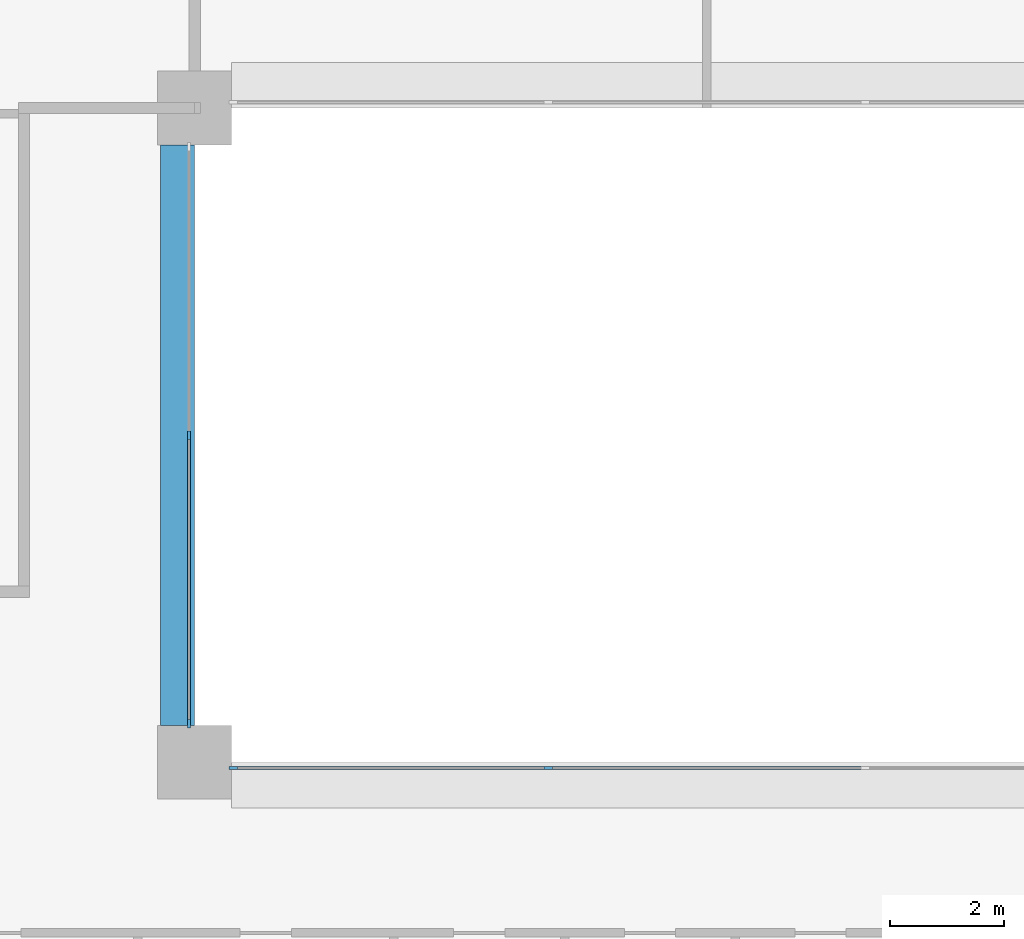
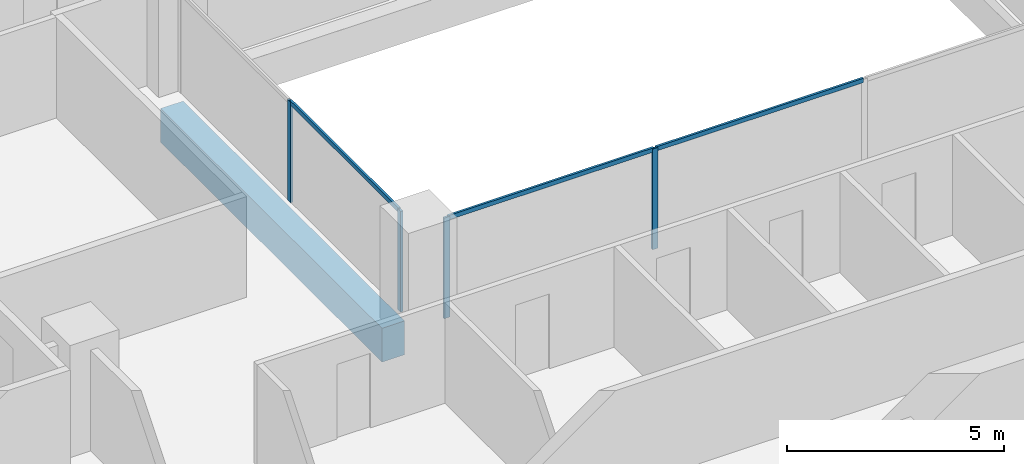
# One storey, part 2 of 16: 7 members, 1 beam, 2 elements without a shape of their own.
"""IFC4 building model written with IfcOpenShell, lengths in metres."""

import ifcopenshell
import ifcopenshell.guid

model = None  # the IFC model being written
_history = None  # IfcOwnerHistory: only IFC2X3 demands one
_inside = {}  # id of a spatial element -> (the spatial element, [elements in it])
_under = {}  # id of a project, library or spatial element -> (it, [spatial elements below it])
_declared = {}  # id of a project -> (the project, [libraries it declares])
_typed = {}  # id of a type object -> (the type object, [elements of that type])
_made_of = {}  # id of a material, layer set ... -> (it, [elements and type objects made of it])


def new_model(schema):
    """Start an empty IFC model of exactly this schema.

    Asked for "IFC4X3", IfcOpenShell would pick the latest addendum, in which some entities
    have other attributes; the version numbers below select the first issue.
    IFC2X3 requires an IfcOwnerHistory on every rooted entity: one is made here for all.
    """
    global model, _history
    if schema == "IFC4X3":
        model = ifcopenshell.file(schema_version=(4, 3, 0, 0))
    else:
        model = ifcopenshell.file(schema=schema)
    _inside.clear()
    _under.clear()
    _declared.clear()
    _typed.clear()
    _made_of.clear()
    _history = None
    if model.schema == "IFC2X3":
        org = make("IfcOrganization", Name="unknown")
        user = make(
            "IfcPersonAndOrganization",
            ThePerson=make("IfcPerson", FamilyName="unknown"),
            TheOrganization=org,
        )
        app = make(
            "IfcApplication",
            ApplicationDeveloper=org,
            Version="unknown",
            ApplicationFullName="unknown",
            ApplicationIdentifier="unknown",
        )
        _history = make(
            "IfcOwnerHistory",
            OwningUser=user,
            OwningApplication=app,
            ChangeAction="ADDED",
            CreationDate=0,
        )
    return model


def make(cls, **values):
    """One entity of the class cls with the attributes given. An attribute that is None is left unset."""
    return model.create_entity(
        cls, **{name: value for name, value in values.items() if value is not None}
    )


def rooted(cls, **values):
    """An entity with a GlobalId (a new one), such as an element, a storey or a relation."""
    return make(cls, GlobalId=ifcopenshell.guid.new(), OwnerHistory=_history, **values)


def si_unit(unit_type, name, prefix=None):
    """IfcSIUnit, for example si_unit("LENGTHUNIT", "METRE", prefix="MILLI")."""
    return make("IfcSIUnit", UnitType=unit_type, Prefix=prefix, Name=name)


def assignment(units):
    """IfcUnitAssignment: the units of a project."""
    return None if units is None else make("IfcUnitAssignment", Units=units)


def point(xyz):
    """IfcCartesianPoint."""
    return None if xyz is None else make("IfcCartesianPoint", Coordinates=xyz)


def direction(xyz):
    """IfcDirection."""
    return None if xyz is None else make("IfcDirection", DirectionRatios=xyz)


def frame(location, z_axis=None, x_axis=None):
    """IfcAxis2Placement3D, a coordinate frame: its origin and axes. An axis left out is left unset."""
    return make(
        "IfcAxis2Placement3D",
        Location=point(location),
        Axis=direction(z_axis),
        RefDirection=direction(x_axis),
    )


def frame_2d(location, x_axis=None):
    """IfcAxis2Placement2D, a coordinate frame in the plane: its origin and x axis."""
    return make(
        "IfcAxis2Placement2D", Location=point(location), RefDirection=direction(x_axis)
    )


def origin():
    """The frame at (0, 0, 0) with its axes left unset."""
    return frame((0.0, 0.0, 0.0))


def origin_2d():
    """The frame at (0, 0) in the plane with its x axis left unset."""
    return frame_2d((0.0, 0.0))


def place(relative_to, where):
    """IfcLocalPlacement: puts the frame where relative to a parent placement (None: the world)."""
    return make(
        "IfcLocalPlacement", PlacementRelTo=relative_to, RelativePlacement=where
    )


def context(
    kind, dimensions, precision=None, world=None, true_north=None, identifier=None
):
    """IfcGeometricRepresentationContext, for example the 3D "Model" context."""
    return make(
        "IfcGeometricRepresentationContext",
        ContextIdentifier=identifier,
        ContextType=kind,
        CoordinateSpaceDimension=dimensions,
        Precision=precision,
        WorldCoordinateSystem=world,
        TrueNorth=true_north,
    )


def subcontext(parent, identifier, kind, view, scale=None):
    """IfcGeometricRepresentationSubContext, for example "Body" below "Model"."""
    return make(
        "IfcGeometricRepresentationSubContext",
        ContextIdentifier=identifier,
        ContextType=kind,
        ParentContext=parent,
        TargetScale=scale,
        TargetView=view,
    )


def project(units=None, contexts=None):
    """IfcProject with its units and contexts."""
    return rooted(
        "IfcProject",
        Name="project",
        RepresentationContexts=contexts,
        UnitsInContext=assignment(units),
    )


def spatial(cls, under=None, at=None, **own):
    """A site, building, storey or space (cls), placed at a placement, below another one or the project."""
    s = rooted(cls, ObjectPlacement=at, **own)
    if under is not None:
        _under.setdefault(under.id(), (under, []))[1].append(s)
    return s


def profile(cls, at=None, kind="AREA", **sizes):
    """A parametric profile (cls). Its sizes go by their IFC names, for example OverallWidth=200.0."""
    return make(cls, ProfileType=kind, Position=at, **sizes)


def rectangle(**sizes):
    """IfcRectangleProfileDef."""
    return profile("IfcRectangleProfileDef", **sizes)


def extrude(swept, where, along, depth):
    """IfcExtrudedAreaSolid: the profile swept, set in the frame where, extruded along a direction by depth."""
    return make(
        "IfcExtrudedAreaSolid",
        SweptArea=swept,
        Position=where,
        ExtrudedDirection=direction(along),
        Depth=depth,
    )


def shape(context_of_items, identifier, shape_type, items):
    """IfcShapeRepresentation: the items that make up one representation, for example the "Body"."""
    return make(
        "IfcShapeRepresentation",
        ContextOfItems=context_of_items,
        RepresentationIdentifier=identifier,
        RepresentationType=shape_type,
        Items=items,
    )


def material(Name=None, Category=None):
    """IfcMaterial."""
    return make("IfcMaterial", Name=Name, Category=Category)


def layer(
    of_material, thickness, ventilated=None, Name=None, Category=None, Priority=None
):
    """IfcMaterialLayer: one layer of a wall or slab, of a material (None: an air gap)."""
    return make(
        "IfcMaterialLayer",
        Material=of_material,
        LayerThickness=thickness,
        IsVentilated=ventilated,
        Name=Name,
        Category=Category,
        Priority=Priority,
    )


def layer_set(layers, Name=None):
    """IfcMaterialLayerSet."""
    return make("IfcMaterialLayerSet", MaterialLayers=layers, LayerSetName=Name)


def material_profile(
    of_material, cross_section, Name=None, Category=None, Priority=None
):
    """IfcMaterialProfile: a cross section and its material."""
    return make(
        "IfcMaterialProfile",
        Name=Name,
        Material=of_material,
        Profile=cross_section,
        Priority=Priority,
        Category=Category,
    )


def profile_set(profiles, Name=None, composite=None):
    """IfcMaterialProfileSet."""
    return make(
        "IfcMaterialProfileSet",
        Name=Name,
        MaterialProfiles=profiles,
        CompositeProfile=composite,
    )


def made_of(thing, what):
    """Note that an element or type object is made of a material, layer set ...; save() writes the relation."""
    if what is not None:
        _made_of.setdefault(what.id(), (what, []))[1].append(thing)
    return thing


def type_object(cls, material=None, **own):
    """A type object (cls), such as IfcWallType, which elements share."""
    return made_of(rooted(cls, **own), material)


def element(
    cls,
    number,
    at=None,
    inside=None,
    cuts=None,
    type_object=None,
    material=None,
    context=None,
    identifier="Body",
    shape_type=None,
    held_by="IfcProductDefinitionShape",
    body=None,
    shapes=None,
    **own,
):
    """One element of the class cls, such as IfcWall. Its Tag is "e" and its number.

    at: its placement. inside: the storey or other place that contains it. cuts: it is an
    opening in that element (IfcRelVoidsElement). A single representation is given by context,
    identifier, shape_type and body (its items); several are given by shapes. held_by: the class
    of the entity that holds the representations. save() writes the other relations.
    """
    e = rooted(cls, Tag="e%d" % number, ObjectPlacement=at, **own)
    if body is not None:
        shapes = [shape(context, identifier, shape_type, body)]
    if shapes is not None:
        e.Representation = make(held_by, Representations=shapes)
    if inside is not None:
        _inside.setdefault(inside.id(), (inside, []))[1].append(e)
    if cuts is not None:
        rooted(
            "IfcRelVoidsElement", RelatingBuildingElement=cuts, RelatedOpeningElement=e
        )
    if type_object is not None:
        _typed.setdefault(type_object.id(), (type_object, []))[1].append(e)
    return made_of(e, material)


def aggregate(whole, parts):
    """IfcRelAggregates: a whole, such as a stair, and the parts it consists of."""
    return rooted("IfcRelAggregates", RelatingObject=whole, RelatedObjects=parts)


def save(model, path):
    """Write the relations noted so far, then the file.

    IfcRelAggregates (storeys below a building ...), IfcRelContainedInSpatialStructure (elements
    in a storey), IfcRelDefinesByType, IfcRelAssociatesMaterial and IfcRelDeclares: one each for
    every whole, place, type object, material and project.
    """
    for whole, parts in _under.values():
        aggregate(whole, parts)
    for where, things in _inside.values():
        rooted(
            "IfcRelContainedInSpatialStructure",
            RelatedElements=things,
            RelatingStructure=where,
        )
    for kind, things in _typed.values():
        rooted("IfcRelDefinesByType", RelatedObjects=things, RelatingType=kind)
    for what, things in _made_of.values():
        rooted("IfcRelAssociatesMaterial", RelatedObjects=things, RelatingMaterial=what)
    for by, libraries in _declared.values():
        rooted("IfcRelDeclares", RelatingContext=by, RelatedDefinitions=libraries)
    model.write(path)


model = new_model("IFC4")

# Units and contexts
model_context = context("Model", 3, precision=1e-05, world=origin(), true_north=direction((0.0, 1.0)))
body_context = subcontext(model_context, "Body", "Model", "MODEL_VIEW")
ifc_project = project(units=[si_unit("LENGTHUNIT", "METRE"), si_unit("AREAUNIT", "SQUARE_METRE"), si_unit("VOLUMEUNIT", "CUBIC_METRE"), si_unit("PLANEANGLEUNIT", "RADIAN"), si_unit("MASSUNIT", "GRAM", prefix="KILO")], contexts=[model_context])

# Site, building, storey
site_placement = place(None, origin())
site = spatial("IfcSite", under=ifc_project, at=site_placement, CompositionType="ELEMENT")
building_placement = place(site_placement, origin())
building = spatial("IfcBuilding", under=site, at=building_placement, Name="Brigalow Station Residences", CompositionType="ELEMENT")
storey_placement = place(building_placement, frame((0.0, 0.0, 108.75)))
storey = spatial("IfcBuildingStorey", under=building, at=storey_placement, Name="L31", CompositionType="ELEMENT", Elevation=108.75)

# Beam
ifc_material_1 = material(Name="Concrete C65", Category="concrete")
ifc_material_profile_1 = material_profile(ifc_material_1, rectangle(XDim=0.60009765625, YDim=0.949951171875, at=origin_2d()), Name="RC600x950")
ifc_profile_set_1 = profile_set([ifc_material_profile_1], Name="Concrete C65")
beam_type = type_object("IfcBeamType", Name="ATRIUM EDGE GIRDER 600x950 C65", PredefinedType="BEAM", material=ifc_profile_set_1)
beam_placement = place(storey_placement, frame((26.699951171875, 24.64990234375, -0.794921875), z_axis=(0.0, 1.0, 0.0), x_axis=(-1.0, 0.0, 0.0)))
element("IfcBeam", 1, at=beam_placement, inside=storey, type_object=beam_type, Name="ATRIUM EDGE GIRDER 3 L31", PredefinedType="BEAM", context=body_context, shape_type="SweptSolid", body=[
    extrude(rectangle(XDim=0.60009765625, YDim=0.949951171875, at=origin_2d()), origin(), (0.0, 0.0, 1.0), 10.2001953125),
])

# Curtain wall, members
ifc_material_2 = material(Name="Aluminium", Category="aluminium")
ifc_layer = layer(ifc_material_2, 0.14990234375)
ifc_layer_set = layer_set([ifc_layer], Name="ATRIUM FIRE-RATED GLAZING CURTAIN WALL")
curtain_wall_type = type_object("IfcCurtainWallType", Name="ATRIUM FIRE-RATED GLAZING CURTAIN WALL", PredefinedType="NOTDEFINED", material=ifc_layer_set)
curtain_wall_1_placement = place(storey_placement, origin())
curtain_wall_1 = element("IfcCurtainWall", 2, at=curtain_wall_1_placement, inside=storey, type_object=curtain_wall_type, Name="L31/cw/atrium-S", PredefinedType="NOTDEFINED")
ifc_material_3 = material(Name="Aluminium", Category="aluminium")
ifc_material_profile_2 = material_profile(ifc_material_3, rectangle(XDim=0.06005859375, YDim=0.14990234375, at=origin_2d()), Name="ATRIUM FIRE-RATED GLAZING MULLION 60x150")
ifc_profile_set_2 = profile_set([ifc_material_profile_2], Name="Aluminium")
member_type_1 = type_object("IfcMemberType", Name="ATRIUM FIRE-RATED GLAZING MULLION 60x150", PredefinedType="MULLION", material=ifc_profile_set_2)
member_1_placement = place(storey_placement, frame((27.679931640625, 23.89990234375, 0.0), z_axis=(0.0, 0.0, 1.0), x_axis=(0.0, 1.0, 0.0)))
member_1 = element("IfcMember", 3, at=member_1_placement, type_object=member_type_1, Name="L31/cw/atrium-S/M00", PredefinedType="MULLION", context=body_context, shape_type="SweptSolid", body=[
    extrude(rectangle(XDim=0.06005859375, YDim=0.14990234375, at=origin_2d()), origin(), (0.0, 0.0, 1.0), 2.830078125),
])
member_2_placement = place(storey_placement, frame((33.216796875, 23.89990234375, 0.0), z_axis=(0.0, 0.0, 1.0), x_axis=(0.0, 1.0, 0.0)))
member_2 = element("IfcMember", 4, at=member_2_placement, type_object=member_type_1, Name="L31/cw/atrium-S/M01", PredefinedType="MULLION", context=body_context, shape_type="SweptSolid", body=[
    extrude(rectangle(XDim=0.06005859375, YDim=0.14990234375, at=origin_2d()), origin(), (0.0, 0.0, 1.0), 2.830078125),
])

curtain_wall_2_placement = place(storey_placement, origin())
curtain_wall_2 = element("IfcCurtainWall", 5, at=curtain_wall_2_placement, inside=storey, type_object=curtain_wall_type, Name="L31/cw/atrium-W", PredefinedType="NOTDEFINED")
member_3_placement = place(storey_placement, frame((26.89990234375, 29.75, 0.0), z_axis=(0.0, 0.0, 1.0), x_axis=(1.0, 0.0, 0.0)))
member_3 = element("IfcMember", 6, at=member_3_placement, type_object=member_type_1, Name="L31/cw/atrium-W/M01", PredefinedType="MULLION", context=body_context, shape_type="SweptSolid", body=[
    extrude(rectangle(XDim=0.06005859375, YDim=0.14990234375, at=origin_2d()), origin(), (0.0, 0.0, 1.0), 2.830078125),
])
member_4_placement = place(storey_placement, frame((26.89990234375, 24.679931640625, 0.0), z_axis=(0.0, 0.0, 1.0), x_axis=(1.0, 0.0, 0.0)))
member_4 = element("IfcMember", 7, at=member_4_placement, type_object=member_type_1, Name="L31/cw/atrium-W/M02", PredefinedType="MULLION", context=body_context, shape_type="SweptSolid", body=[
    extrude(rectangle(XDim=0.06005859375, YDim=0.14990234375, at=origin_2d()), origin(), (0.0, 0.0, 1.0), 2.830078125),
])

# Member
ifc_material_4 = material(Name="Aluminium", Category="aluminium")
ifc_material_profile_3 = material_profile(ifc_material_4, rectangle(XDim=0.06005859375, YDim=0.1201171875, at=origin_2d()), Name="ATRIUM FIRE-RATED GLAZING TRANSOM 60x120")
ifc_profile_set_3 = profile_set([ifc_material_profile_3], Name="Aluminium")
member_type_2 = type_object("IfcMemberType", Name="ATRIUM FIRE-RATED GLAZING TRANSOM 60x120", PredefinedType="USERDEFINED", material=ifc_profile_set_3)
member_5_placement = place(storey_placement, frame((27.7099609375, 23.89990234375, 2.800048828125), z_axis=(1.0, 0.0, 0.0), x_axis=(0.0, 1.0, 0.0)))
member_5 = element("IfcMember", 8, at=member_5_placement, type_object=member_type_2, Name="L31/cw/atrium-S/T00-00", ObjectType="TRANSOM", PredefinedType="USERDEFINED", context=body_context, shape_type="SweptSolid", body=[
    extrude(rectangle(XDim=0.06005859375, YDim=0.1201171875, at=origin_2d()), origin(), (0.0, 0.0, 1.0), 5.476806640625),
])

member_6_placement = place(storey_placement, frame((33.24658203125, 23.89990234375, 2.800048828125), z_axis=(1.0, 0.0, 0.0), x_axis=(0.0, 1.0, 0.0)))
member_6 = element("IfcMember", 9, at=member_6_placement, type_object=member_type_2, Name="L31/cw/atrium-S/T01-00", ObjectType="TRANSOM", PredefinedType="USERDEFINED", context=body_context, shape_type="SweptSolid", body=[
    extrude(rectangle(XDim=0.06005859375, YDim=0.1201171875, at=origin_2d()), origin(), (0.0, 0.0, 1.0), 5.5068359375),
])

aggregate(curtain_wall_1, [member_1, member_2, member_5, member_6])

member_7_placement = place(storey_placement, frame((26.89990234375, 29.719970703125, 2.800048828125), z_axis=(0.0, -1.0, 0.0), x_axis=(1.0, 0.0, 0.0)))
member_7 = element("IfcMember", 10, at=member_7_placement, type_object=member_type_2, Name="L31/cw/atrium-W/T01-00", ObjectType="TRANSOM", PredefinedType="USERDEFINED", context=body_context, shape_type="SweptSolid", body=[
    extrude(rectangle(XDim=0.06005859375, YDim=0.1201171875, at=origin_2d()), origin(), (0.0, 0.0, 1.0), 5.010009765625),
])

aggregate(curtain_wall_2, [member_3, member_4, member_7])

save(model, "model.ifc")
